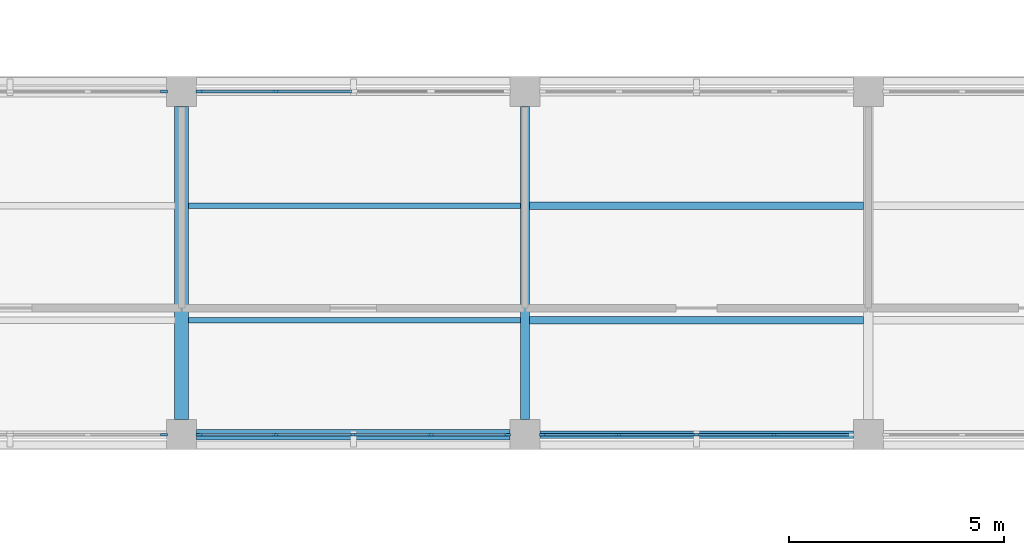
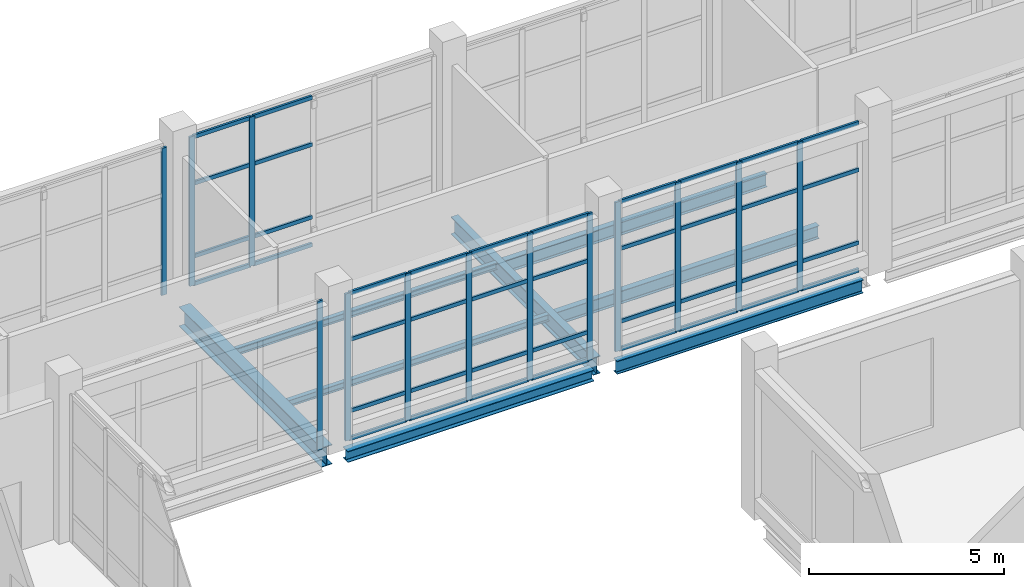
# One storey, part 37 of 105: 53 members, 8 beams, 5 elements without a shape of their own.
"""IFC4 building model written with IfcOpenShell, lengths in metres."""

from ifc_helpers import new_model, si_unit, derived_unit, direction, frame, origin, origin_2d, place, context, subcontext, project, spatial, rectangle, i_section, extrude, material, layer, layer_set, material_profile, profile_set, type_object, element, aggregate, save


model = new_model("IFC4")

# Units and contexts
model_context = context("Model", 3, precision=1e-05, world=origin(), true_north=direction((0.0, 1.0)))
body_context = subcontext(model_context, "Body", "Model", "MODEL_VIEW")
ifc_project = project(units=[si_unit("LENGTHUNIT", "METRE"), si_unit("AREAUNIT", "SQUARE_METRE"), si_unit("VOLUMEUNIT", "CUBIC_METRE"), si_unit("PLANEANGLEUNIT", "RADIAN"), si_unit("MASSUNIT", "GRAM", prefix="KILO"), derived_unit("THERMALTRANSMITTANCEUNIT", [(si_unit("MASSUNIT", "GRAM", prefix="KILO"), 1), (si_unit("TIMEUNIT", "SECOND"), -3), (si_unit("THERMODYNAMICTEMPERATUREUNIT", "KELVIN"), -1)])], contexts=[model_context])

# Site, building, storey
site_placement = place(None, origin())
site = spatial("IfcSite", under=ifc_project, at=site_placement, CompositionType="ELEMENT")
building_placement = place(site_placement, origin())
building = spatial("IfcBuilding", under=site, at=building_placement, Name="Veyamyaing Civic Hall", CompositionType="ELEMENT")
storey_placement = place(building_placement, origin())
storey = spatial("IfcBuildingStorey", under=building, at=storey_placement, Name="L00", CompositionType="ELEMENT", Elevation=0.0)

# Beams
ifc_material_1 = material(Name="Steel ASTM A992", Category="steel")
ifc_material_profile_1 = material_profile(ifc_material_1, i_section(OverallWidth=0.179931640625, OverallDepth=0.4130859375, WebThickness=0.009765625, FlangeThickness=0.01611328125, FilletRadius=0.010009765625, at=origin_2d()), Name="W410X74")
ifc_profile_set_1 = profile_set([ifc_material_profile_1], Name="Steel ASTM A992")
beam_type_1 = type_object("IfcBeamType", Name="B-10", PredefinedType="SPANDREL", material=ifc_profile_set_1)
beam_1_placement = place(storey_placement, frame((136.35009765625, 48.0, -0.471435546875), z_axis=(1.0, 0.0, 0.0), x_axis=(0.0, 1.0, 0.0)))
element("IfcBeam", 1, at=beam_1_placement, inside=storey, type_object=beam_type_1, Name="Girder B-10 L00 Grid G 18-19", PredefinedType="SPANDREL", context=body_context, shape_type="SweptSolid", body=[
    extrude(i_section(OverallWidth=0.179931640625, OverallDepth=0.4130859375, WebThickness=0.009765625, FlangeThickness=0.01611328125, FilletRadius=0.010009765625, at=origin_2d()), origin(), (0.0, 0.0, 1.0), 7.2998046875),
])
ifc_material_profile_2 = material_profile(ifc_material_1, i_section(OverallWidth=0.324951171875, OverallDepth=0.615966796875, WebThickness=0.013916015625, FlangeThickness=0.021484375, FilletRadius=0.013916015625, at=origin_2d()), Name="W610X174")
ifc_profile_set_2 = profile_set([ifc_material_profile_2], Name="Steel ASTM A992")
beam_type_2 = type_object("IfcBeamType", Name="B-15", PredefinedType="BEAM", material=ifc_profile_set_2)
beam_2_placement = place(storey_placement, frame((128.0, 48.35009765625, -0.572998046875), z_axis=(0.0, 1.0, 0.0), x_axis=(-1.0, 0.0, 0.0)))
element("IfcBeam", 2, at=beam_2_placement, inside=storey, type_object=beam_type_2, Name="Girder B-15 L00 Grid 17 G-H", PredefinedType="BEAM", context=body_context, shape_type="SweptSolid", body=[
    extrude(i_section(OverallWidth=0.324951171875, OverallDepth=0.615966796875, WebThickness=0.013916015625, FlangeThickness=0.021484375, FilletRadius=0.013916015625, at=origin_2d()), origin(), (0.0, 0.0, 1.0), 7.2998046875),
])
ifc_material_profile_3 = material_profile(ifc_material_1, i_section(OverallWidth=0.214111328125, OverallDepth=0.549072265625, WebThickness=0.0146484375, FlangeThickness=0.023681640625, FilletRadius=0.011962890625, at=origin_2d()), Name="W530X138")
ifc_profile_set_3 = profile_set([ifc_material_profile_3], Name="Steel ASTM A992")
beam_type_3 = type_object("IfcBeamType", Name="B-16", PredefinedType="BEAM", material=ifc_profile_set_3)
beam_3_placement = place(storey_placement, frame((136.0, 48.35009765625, -0.53955078125), z_axis=(0.0, 1.0, 0.0), x_axis=(-1.0, 0.0, 0.0)))
element("IfcBeam", 3, at=beam_3_placement, inside=storey, type_object=beam_type_3, Name="Girder B-16 L00 Grid 18 G-H", PredefinedType="BEAM", context=body_context, shape_type="SweptSolid", body=[
    extrude(i_section(OverallWidth=0.214111328125, OverallDepth=0.549072265625, WebThickness=0.0146484375, FlangeThickness=0.023681640625, FilletRadius=0.011962890625, at=origin_2d()), origin(), (0.0, 0.0, 1.0), 7.2998046875),
])
ifc_material_profile_4 = material_profile(ifc_material_1, i_section(OverallWidth=0.25390625, OverallDepth=0.35302734375, WebThickness=0.009521484375, FlangeThickness=0.016357421875, FilletRadius=0.011962890625, at=origin_2d()), Name="W360X91")
ifc_profile_set_4 = profile_set([ifc_material_profile_4], Name="Steel ASTM A992")
beam_type_4 = type_object("IfcBeamType", Name="B-20", PredefinedType="SPANDREL", material=ifc_profile_set_4)
beam_4_placement = place(storey_placement, frame((128.35009765625, 48.0, -0.44140625), z_axis=(1.0, 0.0, 0.0), x_axis=(0.0, 1.0, 0.0)))
element("IfcBeam", 4, at=beam_4_placement, inside=storey, type_object=beam_type_4, Name="Girder B-20 L00 Grid G 17-18", PredefinedType="SPANDREL", context=body_context, shape_type="SweptSolid", body=[
    extrude(i_section(OverallWidth=0.25390625, OverallDepth=0.35302734375, WebThickness=0.009521484375, FlangeThickness=0.016357421875, FilletRadius=0.011962890625, at=origin_2d()), origin(), (0.0, 0.0, 1.0), 7.2998046875),
])

# Curtain wall, member
ifc_material_2 = material(Name="Anodised aluminium 6063-T6", Category="aluminium")
ifc_layer = layer(ifc_material_2, 0.159912109375, Name="Anodised aluminium 6063-T6")
ifc_layer_set = layer_set([ifc_layer], Name="Anodised aluminium 6063-T6")
curtain_wall_type = type_object("IfcCurtainWallType", Name="CW-01", PredefinedType="NOTDEFINED", material=ifc_layer_set)
curtain_wall_1_placement = place(storey_placement, origin())
curtain_wall_1 = element("IfcCurtainWall", 5, at=curtain_wall_1_placement, inside=storey, type_object=curtain_wall_type, Name="Unitized curtain wall CW-01 L00 S 16.7", PredefinedType="NOTDEFINED")
ifc_material_profile_5 = material_profile(ifc_material_2, rectangle(XDim=0.06494140625, YDim=0.159912109375, at=origin_2d()), Name="ALU-MUL-65X160")
ifc_profile_set_5 = profile_set([ifc_material_profile_5], Name="Anodised aluminium 6063-T6")
member_type_1 = type_object("IfcMemberType", Name="CWM-01", PredefinedType="MULLION", material=ifc_profile_set_5)
member_1_placement = place(storey_placement, frame((127.58740234375, 48.0, 0.0), z_axis=(0.0, 0.0, 1.0), x_axis=(0.0, 1.0, 0.0)))
member_1 = element("IfcMember", 6, at=member_1_placement, type_object=member_type_1, Name="CW-01 mullion 5", PredefinedType="MULLION", context=body_context, shape_type="SweptSolid", body=[
    extrude(rectangle(XDim=0.06494140625, YDim=0.159912109375, at=origin_2d()), origin(), (0.0, 0.0, 1.0), 4.674072265625),
])
aggregate(curtain_wall_1, [member_1])

curtain_wall_2_placement = place(storey_placement, origin())
curtain_wall_2 = element("IfcCurtainWall", 7, at=curtain_wall_2_placement, inside=storey, type_object=curtain_wall_type, Name="Unitized curtain wall CW-01 L00 N 16.7", PredefinedType="NOTDEFINED")
member_2_placement = place(storey_placement, frame((127.58740234375, 56.0, 0.0), z_axis=(0.0, 0.0, 1.0), x_axis=(0.0, 1.0, 0.0)))
member_2 = element("IfcMember", 8, at=member_2_placement, type_object=member_type_1, Name="CW-01 mullion 5", PredefinedType="MULLION", context=body_context, shape_type="SweptSolid", body=[
    extrude(rectangle(XDim=0.06494140625, YDim=0.159912109375, at=origin_2d()), origin(), (0.0, 0.0, 1.0), 4.614013671875),
])
aggregate(curtain_wall_2, [member_2])

# Curtain wall, members
curtain_wall_3_placement = place(storey_placement, origin())
curtain_wall_3 = element("IfcCurtainWall", 9, at=curtain_wall_3_placement, inside=storey, type_object=curtain_wall_type, Name="Unitized curtain wall CW-01 L00 S 17.7", PredefinedType="NOTDEFINED")
member_3_placement = place(storey_placement, frame((128.41259765625, 48.0, 0.0), z_axis=(0.0, 0.0, 1.0), x_axis=(0.0, 1.0, 0.0)))
member_3 = element("IfcMember", 10, at=member_3_placement, type_object=member_type_1, Name="CW-01 mullion 1", PredefinedType="MULLION", context=body_context, shape_type="SweptSolid", body=[
    extrude(rectangle(XDim=0.06494140625, YDim=0.159912109375, at=origin_2d()), origin(), (0.0, 0.0, 1.0), 4.614013671875),
])
member_4_placement = place(storey_placement, frame((130.18994140625, 48.0, 0.0), z_axis=(0.0, 0.0, 1.0), x_axis=(0.0, 1.0, 0.0)))
member_4 = element("IfcMember", 11, at=member_4_placement, type_object=member_type_1, Name="CW-01 mullion 2", PredefinedType="MULLION", context=body_context, shape_type="SweptSolid", body=[
    extrude(rectangle(XDim=0.06494140625, YDim=0.159912109375, at=origin_2d()), origin(), (0.0, 0.0, 1.0), 4.614013671875),
])
member_5_placement = place(storey_placement, frame((132.0, 48.0, 0.0), z_axis=(0.0, 0.0, 1.0), x_axis=(0.0, 1.0, 0.0)))
member_5 = element("IfcMember", 12, at=member_5_placement, type_object=member_type_1, Name="CW-01 mullion 3", PredefinedType="MULLION", context=body_context, shape_type="SweptSolid", body=[
    extrude(rectangle(XDim=0.06494140625, YDim=0.159912109375, at=origin_2d()), origin(), (0.0, 0.0, 1.0), 4.614013671875),
])
member_6_placement = place(storey_placement, frame((133.81005859375, 48.0, 0.0), z_axis=(0.0, 0.0, 1.0), x_axis=(0.0, 1.0, 0.0)))
member_6 = element("IfcMember", 13, at=member_6_placement, type_object=member_type_1, Name="CW-01 mullion 4", PredefinedType="MULLION", context=body_context, shape_type="SweptSolid", body=[
    extrude(rectangle(XDim=0.06494140625, YDim=0.159912109375, at=origin_2d()), origin(), (0.0, 0.0, 1.0), 4.614013671875),
])
member_7_placement = place(storey_placement, frame((135.58740234375, 48.0, 0.0), z_axis=(0.0, 0.0, 1.0), x_axis=(0.0, 1.0, 0.0)))
member_7 = element("IfcMember", 14, at=member_7_placement, type_object=member_type_1, Name="CW-01 mullion 5", PredefinedType="MULLION", context=body_context, shape_type="SweptSolid", body=[
    extrude(rectangle(XDim=0.06494140625, YDim=0.159912109375, at=origin_2d()), origin(), (0.0, 0.0, 1.0), 4.614013671875),
])

curtain_wall_4_placement = place(storey_placement, origin())
curtain_wall_4 = element("IfcCurtainWall", 15, at=curtain_wall_4_placement, inside=storey, type_object=curtain_wall_type, Name="Unitized curtain wall CW-01 L00 N 17.7", PredefinedType="NOTDEFINED")
member_8_placement = place(storey_placement, frame((128.41259765625, 56.0, 0.0), z_axis=(0.0, 0.0, 1.0), x_axis=(0.0, 1.0, 0.0)))
member_8 = element("IfcMember", 16, at=member_8_placement, type_object=member_type_1, Name="CW-01 mullion 1", PredefinedType="MULLION", context=body_context, shape_type="SweptSolid", body=[
    extrude(rectangle(XDim=0.06494140625, YDim=0.159912109375, at=origin_2d()), origin(), (0.0, 0.0, 1.0), 4.677001953125),
])
member_9_placement = place(storey_placement, frame((130.18994140625, 56.0, 0.0), z_axis=(0.0, 0.0, 1.0), x_axis=(0.0, 1.0, 0.0)))
member_9 = element("IfcMember", 17, at=member_9_placement, type_object=member_type_1, Name="CW-01 mullion 2", PredefinedType="MULLION", context=body_context, shape_type="SweptSolid", body=[
    extrude(rectangle(XDim=0.06494140625, YDim=0.159912109375, at=origin_2d()), origin(), (0.0, 0.0, 1.0), 4.677001953125),
])

curtain_wall_5_placement = place(storey_placement, origin())
curtain_wall_5 = element("IfcCurtainWall", 18, at=curtain_wall_5_placement, inside=storey, type_object=curtain_wall_type, Name="Unitized curtain wall CW-01 L00 S 18.7", PredefinedType="NOTDEFINED")
member_10_placement = place(storey_placement, frame((136.41259765625, 48.0, 0.0), z_axis=(0.0, 0.0, 1.0), x_axis=(0.0, 1.0, 0.0)))
member_10 = element("IfcMember", 19, at=member_10_placement, type_object=member_type_1, Name="CW-01 mullion 1", PredefinedType="MULLION", context=body_context, shape_type="SweptSolid", body=[
    extrude(rectangle(XDim=0.06494140625, YDim=0.159912109375, at=origin_2d()), origin(), (0.0, 0.0, 1.0), 4.677001953125),
])
member_11_placement = place(storey_placement, frame((138.18994140625, 48.0, 0.0), z_axis=(0.0, 0.0, 1.0), x_axis=(0.0, 1.0, 0.0)))
member_11 = element("IfcMember", 20, at=member_11_placement, type_object=member_type_1, Name="CW-01 mullion 2", PredefinedType="MULLION", context=body_context, shape_type="SweptSolid", body=[
    extrude(rectangle(XDim=0.06494140625, YDim=0.159912109375, at=origin_2d()), origin(), (0.0, 0.0, 1.0), 4.677001953125),
])
member_12_placement = place(storey_placement, frame((140.0, 48.0, 0.0), z_axis=(0.0, 0.0, 1.0), x_axis=(0.0, 1.0, 0.0)))
member_12 = element("IfcMember", 21, at=member_12_placement, type_object=member_type_1, Name="CW-01 mullion 3", PredefinedType="MULLION", context=body_context, shape_type="SweptSolid", body=[
    extrude(rectangle(XDim=0.06494140625, YDim=0.159912109375, at=origin_2d()), origin(), (0.0, 0.0, 1.0), 4.677001953125),
])
member_13_placement = place(storey_placement, frame((141.81005859375, 48.0, 0.0), z_axis=(0.0, 0.0, 1.0), x_axis=(0.0, 1.0, 0.0)))
member_13 = element("IfcMember", 22, at=member_13_placement, type_object=member_type_1, Name="CW-01 mullion 4", PredefinedType="MULLION", context=body_context, shape_type="SweptSolid", body=[
    extrude(rectangle(XDim=0.06494140625, YDim=0.159912109375, at=origin_2d()), origin(), (0.0, 0.0, 1.0), 4.677001953125),
])

# Member
ifc_material_profile_6 = material_profile(ifc_material_2, rectangle(XDim=0.06494140625, YDim=0.1201171875, at=origin_2d()), Name="ALU-TRN-65X120")
ifc_profile_set_6 = profile_set([ifc_material_profile_6], Name="Anodised aluminium 6063-T6")
member_type_2 = type_object("IfcMemberType", Name="CWT-01", PredefinedType="USERDEFINED", material=ifc_profile_set_6)
member_14_placement = place(storey_placement, frame((128.445068359375, 48.0, 0.032470703125), z_axis=(1.0, 0.0, 0.0), x_axis=(0.0, 1.0, 0.0)))
member_14 = element("IfcMember", 23, at=member_14_placement, type_object=member_type_2, Name="CW-01 transom 1.1", ObjectType="TRANSOM", PredefinedType="USERDEFINED", context=body_context, shape_type="SweptSolid", body=[
    extrude(rectangle(XDim=0.06494140625, YDim=0.1201171875, at=origin_2d()), origin(), (0.0, 0.0, 1.0), 1.71240234375),
])

member_15_placement = place(storey_placement, frame((128.445068359375, 48.0, 0.89990234375), z_axis=(1.0, 0.0, 0.0), x_axis=(0.0, 1.0, 0.0)))
member_15 = element("IfcMember", 24, at=member_15_placement, type_object=member_type_2, Name="CW-01 transom 1.2", ObjectType="TRANSOM", PredefinedType="USERDEFINED", context=body_context, shape_type="SweptSolid", body=[
    extrude(rectangle(XDim=0.06494140625, YDim=0.1201171875, at=origin_2d()), origin(), (0.0, 0.0, 1.0), 1.71240234375),
])

member_16_placement = place(storey_placement, frame((128.445068359375, 48.0, 3.137451171875), z_axis=(1.0, 0.0, 0.0), x_axis=(0.0, 1.0, 0.0)))
member_16 = element("IfcMember", 25, at=member_16_placement, type_object=member_type_2, Name="CW-01 transom 1.3", ObjectType="TRANSOM", PredefinedType="USERDEFINED", context=body_context, shape_type="SweptSolid", body=[
    extrude(rectangle(XDim=0.06494140625, YDim=0.1201171875, at=origin_2d()), origin(), (0.0, 0.0, 1.0), 1.71240234375),
])

member_17_placement = place(storey_placement, frame((128.445068359375, 48.0, 4.58154296875), z_axis=(1.0, 0.0, 0.0), x_axis=(0.0, 1.0, 0.0)))
member_17 = element("IfcMember", 26, at=member_17_placement, type_object=member_type_2, Name="CW-01 transom 1.4", ObjectType="TRANSOM", PredefinedType="USERDEFINED", context=body_context, shape_type="SweptSolid", body=[
    extrude(rectangle(XDim=0.06494140625, YDim=0.1201171875, at=origin_2d()), origin(), (0.0, 0.0, 1.0), 1.71240234375),
])

member_18_placement = place(storey_placement, frame((130.222412109375, 48.0, 0.032470703125), z_axis=(1.0, 0.0, 0.0), x_axis=(0.0, 1.0, 0.0)))
member_18 = element("IfcMember", 27, at=member_18_placement, type_object=member_type_2, Name="CW-01 transom 2.1", ObjectType="TRANSOM", PredefinedType="USERDEFINED", context=body_context, shape_type="SweptSolid", body=[
    extrude(rectangle(XDim=0.06494140625, YDim=0.1201171875, at=origin_2d()), origin(), (0.0, 0.0, 1.0), 1.7451171875),
])

member_19_placement = place(storey_placement, frame((130.222412109375, 48.0, 0.89990234375), z_axis=(1.0, 0.0, 0.0), x_axis=(0.0, 1.0, 0.0)))
member_19 = element("IfcMember", 28, at=member_19_placement, type_object=member_type_2, Name="CW-01 transom 2.2", ObjectType="TRANSOM", PredefinedType="USERDEFINED", context=body_context, shape_type="SweptSolid", body=[
    extrude(rectangle(XDim=0.06494140625, YDim=0.1201171875, at=origin_2d()), origin(), (0.0, 0.0, 1.0), 1.7451171875),
])

member_20_placement = place(storey_placement, frame((130.222412109375, 48.0, 3.137451171875), z_axis=(1.0, 0.0, 0.0), x_axis=(0.0, 1.0, 0.0)))
member_20 = element("IfcMember", 29, at=member_20_placement, type_object=member_type_2, Name="CW-01 transom 2.3", ObjectType="TRANSOM", PredefinedType="USERDEFINED", context=body_context, shape_type="SweptSolid", body=[
    extrude(rectangle(XDim=0.06494140625, YDim=0.1201171875, at=origin_2d()), origin(), (0.0, 0.0, 1.0), 1.7451171875),
])

member_21_placement = place(storey_placement, frame((130.222412109375, 48.0, 4.58154296875), z_axis=(1.0, 0.0, 0.0), x_axis=(0.0, 1.0, 0.0)))
member_21 = element("IfcMember", 30, at=member_21_placement, type_object=member_type_2, Name="CW-01 transom 2.4", ObjectType="TRANSOM", PredefinedType="USERDEFINED", context=body_context, shape_type="SweptSolid", body=[
    extrude(rectangle(XDim=0.06494140625, YDim=0.1201171875, at=origin_2d()), origin(), (0.0, 0.0, 1.0), 1.7451171875),
])

member_22_placement = place(storey_placement, frame((132.032470703125, 48.0, 0.032470703125), z_axis=(1.0, 0.0, 0.0), x_axis=(0.0, 1.0, 0.0)))
member_22 = element("IfcMember", 31, at=member_22_placement, type_object=member_type_2, Name="CW-01 transom 3.1", ObjectType="TRANSOM", PredefinedType="USERDEFINED", context=body_context, shape_type="SweptSolid", body=[
    extrude(rectangle(XDim=0.06494140625, YDim=0.1201171875, at=origin_2d()), origin(), (0.0, 0.0, 1.0), 1.7451171875),
])

member_23_placement = place(storey_placement, frame((132.032470703125, 48.0, 0.89990234375), z_axis=(1.0, 0.0, 0.0), x_axis=(0.0, 1.0, 0.0)))
member_23 = element("IfcMember", 32, at=member_23_placement, type_object=member_type_2, Name="CW-01 transom 3.2", ObjectType="TRANSOM", PredefinedType="USERDEFINED", context=body_context, shape_type="SweptSolid", body=[
    extrude(rectangle(XDim=0.06494140625, YDim=0.1201171875, at=origin_2d()), origin(), (0.0, 0.0, 1.0), 1.7451171875),
])

member_24_placement = place(storey_placement, frame((132.032470703125, 48.0, 3.137451171875), z_axis=(1.0, 0.0, 0.0), x_axis=(0.0, 1.0, 0.0)))
member_24 = element("IfcMember", 33, at=member_24_placement, type_object=member_type_2, Name="CW-01 transom 3.3", ObjectType="TRANSOM", PredefinedType="USERDEFINED", context=body_context, shape_type="SweptSolid", body=[
    extrude(rectangle(XDim=0.06494140625, YDim=0.1201171875, at=origin_2d()), origin(), (0.0, 0.0, 1.0), 1.7451171875),
])

member_25_placement = place(storey_placement, frame((132.032470703125, 48.0, 4.58154296875), z_axis=(1.0, 0.0, 0.0), x_axis=(0.0, 1.0, 0.0)))
member_25 = element("IfcMember", 34, at=member_25_placement, type_object=member_type_2, Name="CW-01 transom 3.4", ObjectType="TRANSOM", PredefinedType="USERDEFINED", context=body_context, shape_type="SweptSolid", body=[
    extrude(rectangle(XDim=0.06494140625, YDim=0.1201171875, at=origin_2d()), origin(), (0.0, 0.0, 1.0), 1.7451171875),
])

member_26_placement = place(storey_placement, frame((133.842529296875, 48.0, 0.032470703125), z_axis=(1.0, 0.0, 0.0), x_axis=(0.0, 1.0, 0.0)))
member_26 = element("IfcMember", 35, at=member_26_placement, type_object=member_type_2, Name="CW-01 transom 4.1", ObjectType="TRANSOM", PredefinedType="USERDEFINED", context=body_context, shape_type="SweptSolid", body=[
    extrude(rectangle(XDim=0.06494140625, YDim=0.1201171875, at=origin_2d()), origin(), (0.0, 0.0, 1.0), 1.71240234375),
])

member_27_placement = place(storey_placement, frame((133.842529296875, 48.0, 0.89990234375), z_axis=(1.0, 0.0, 0.0), x_axis=(0.0, 1.0, 0.0)))
member_27 = element("IfcMember", 36, at=member_27_placement, type_object=member_type_2, Name="CW-01 transom 4.2", ObjectType="TRANSOM", PredefinedType="USERDEFINED", context=body_context, shape_type="SweptSolid", body=[
    extrude(rectangle(XDim=0.06494140625, YDim=0.1201171875, at=origin_2d()), origin(), (0.0, 0.0, 1.0), 1.71240234375),
])

member_28_placement = place(storey_placement, frame((133.842529296875, 48.0, 3.137451171875), z_axis=(1.0, 0.0, 0.0), x_axis=(0.0, 1.0, 0.0)))
member_28 = element("IfcMember", 37, at=member_28_placement, type_object=member_type_2, Name="CW-01 transom 4.3", ObjectType="TRANSOM", PredefinedType="USERDEFINED", context=body_context, shape_type="SweptSolid", body=[
    extrude(rectangle(XDim=0.06494140625, YDim=0.1201171875, at=origin_2d()), origin(), (0.0, 0.0, 1.0), 1.71240234375),
])

member_29_placement = place(storey_placement, frame((133.842529296875, 48.0, 4.58154296875), z_axis=(1.0, 0.0, 0.0), x_axis=(0.0, 1.0, 0.0)))
member_29 = element("IfcMember", 38, at=member_29_placement, type_object=member_type_2, Name="CW-01 transom 4.4", ObjectType="TRANSOM", PredefinedType="USERDEFINED", context=body_context, shape_type="SweptSolid", body=[
    extrude(rectangle(XDim=0.06494140625, YDim=0.1201171875, at=origin_2d()), origin(), (0.0, 0.0, 1.0), 1.71240234375),
])

aggregate(curtain_wall_3, [member_3, member_4, member_5, member_6, member_7, member_14, member_15, member_16, member_17, member_18, member_19, member_20, member_21, member_22, member_23, member_24, member_25, member_26, member_27, member_28, member_29])

member_30_placement = place(storey_placement, frame((128.445068359375, 56.0, 0.032470703125), z_axis=(1.0, 0.0, 0.0), x_axis=(0.0, 1.0, 0.0)))
member_30 = element("IfcMember", 39, at=member_30_placement, type_object=member_type_2, Name="CW-01 transom 1.1", ObjectType="TRANSOM", PredefinedType="USERDEFINED", context=body_context, shape_type="SweptSolid", body=[
    extrude(rectangle(XDim=0.06494140625, YDim=0.1201171875, at=origin_2d()), origin(), (0.0, 0.0, 1.0), 1.71240234375),
])

member_31_placement = place(storey_placement, frame((128.445068359375, 56.0, 0.89990234375), z_axis=(1.0, 0.0, 0.0), x_axis=(0.0, 1.0, 0.0)))
member_31 = element("IfcMember", 40, at=member_31_placement, type_object=member_type_2, Name="CW-01 transom 1.2", ObjectType="TRANSOM", PredefinedType="USERDEFINED", context=body_context, shape_type="SweptSolid", body=[
    extrude(rectangle(XDim=0.06494140625, YDim=0.1201171875, at=origin_2d()), origin(), (0.0, 0.0, 1.0), 1.71240234375),
])

member_32_placement = place(storey_placement, frame((128.445068359375, 56.0, 3.180419921875), z_axis=(1.0, 0.0, 0.0), x_axis=(0.0, 1.0, 0.0)))
member_32 = element("IfcMember", 41, at=member_32_placement, type_object=member_type_2, Name="CW-01 transom 1.3", ObjectType="TRANSOM", PredefinedType="USERDEFINED", context=body_context, shape_type="SweptSolid", body=[
    extrude(rectangle(XDim=0.06494140625, YDim=0.1201171875, at=origin_2d()), origin(), (0.0, 0.0, 1.0), 1.71240234375),
])

member_33_placement = place(storey_placement, frame((128.445068359375, 56.0, 4.64453125), z_axis=(1.0, 0.0, 0.0), x_axis=(0.0, 1.0, 0.0)))
member_33 = element("IfcMember", 42, at=member_33_placement, type_object=member_type_2, Name="CW-01 transom 1.4", ObjectType="TRANSOM", PredefinedType="USERDEFINED", context=body_context, shape_type="SweptSolid", body=[
    extrude(rectangle(XDim=0.06494140625, YDim=0.1201171875, at=origin_2d()), origin(), (0.0, 0.0, 1.0), 1.71240234375),
])

member_34_placement = place(storey_placement, frame((130.222412109375, 56.0, 0.032470703125), z_axis=(1.0, 0.0, 0.0), x_axis=(0.0, 1.0, 0.0)))
member_34 = element("IfcMember", 43, at=member_34_placement, type_object=member_type_2, Name="CW-01 transom 2.1", ObjectType="TRANSOM", PredefinedType="USERDEFINED", context=body_context, shape_type="SweptSolid", body=[
    extrude(rectangle(XDim=0.06494140625, YDim=0.1201171875, at=origin_2d()), origin(), (0.0, 0.0, 1.0), 1.7451171875),
])

member_35_placement = place(storey_placement, frame((130.222412109375, 56.0, 0.89990234375), z_axis=(1.0, 0.0, 0.0), x_axis=(0.0, 1.0, 0.0)))
member_35 = element("IfcMember", 44, at=member_35_placement, type_object=member_type_2, Name="CW-01 transom 2.2", ObjectType="TRANSOM", PredefinedType="USERDEFINED", context=body_context, shape_type="SweptSolid", body=[
    extrude(rectangle(XDim=0.06494140625, YDim=0.1201171875, at=origin_2d()), origin(), (0.0, 0.0, 1.0), 1.7451171875),
])

member_36_placement = place(storey_placement, frame((130.222412109375, 56.0, 3.180419921875), z_axis=(1.0, 0.0, 0.0), x_axis=(0.0, 1.0, 0.0)))
member_36 = element("IfcMember", 45, at=member_36_placement, type_object=member_type_2, Name="CW-01 transom 2.3", ObjectType="TRANSOM", PredefinedType="USERDEFINED", context=body_context, shape_type="SweptSolid", body=[
    extrude(rectangle(XDim=0.06494140625, YDim=0.1201171875, at=origin_2d()), origin(), (0.0, 0.0, 1.0), 1.7451171875),
])

member_37_placement = place(storey_placement, frame((130.222412109375, 56.0, 4.64453125), z_axis=(1.0, 0.0, 0.0), x_axis=(0.0, 1.0, 0.0)))
member_37 = element("IfcMember", 46, at=member_37_placement, type_object=member_type_2, Name="CW-01 transom 2.4", ObjectType="TRANSOM", PredefinedType="USERDEFINED", context=body_context, shape_type="SweptSolid", body=[
    extrude(rectangle(XDim=0.06494140625, YDim=0.1201171875, at=origin_2d()), origin(), (0.0, 0.0, 1.0), 1.7451171875),
])

aggregate(curtain_wall_4, [member_8, member_9, member_30, member_31, member_32, member_33, member_34, member_35, member_36, member_37])

member_38_placement = place(storey_placement, frame((136.445068359375, 48.0, 0.032470703125), z_axis=(1.0, 0.0, 0.0), x_axis=(0.0, 1.0, 0.0)))
member_38 = element("IfcMember", 47, at=member_38_placement, type_object=member_type_2, Name="CW-01 transom 1.1", ObjectType="TRANSOM", PredefinedType="USERDEFINED", context=body_context, shape_type="SweptSolid", body=[
    extrude(rectangle(XDim=0.06494140625, YDim=0.1201171875, at=origin_2d()), origin(), (0.0, 0.0, 1.0), 1.71240234375),
])

member_39_placement = place(storey_placement, frame((136.445068359375, 48.0, 0.89990234375), z_axis=(1.0, 0.0, 0.0), x_axis=(0.0, 1.0, 0.0)))
member_39 = element("IfcMember", 48, at=member_39_placement, type_object=member_type_2, Name="CW-01 transom 1.2", ObjectType="TRANSOM", PredefinedType="USERDEFINED", context=body_context, shape_type="SweptSolid", body=[
    extrude(rectangle(XDim=0.06494140625, YDim=0.1201171875, at=origin_2d()), origin(), (0.0, 0.0, 1.0), 1.71240234375),
])

member_40_placement = place(storey_placement, frame((136.445068359375, 48.0, 3.180419921875), z_axis=(1.0, 0.0, 0.0), x_axis=(0.0, 1.0, 0.0)))
member_40 = element("IfcMember", 49, at=member_40_placement, type_object=member_type_2, Name="CW-01 transom 1.3", ObjectType="TRANSOM", PredefinedType="USERDEFINED", context=body_context, shape_type="SweptSolid", body=[
    extrude(rectangle(XDim=0.06494140625, YDim=0.1201171875, at=origin_2d()), origin(), (0.0, 0.0, 1.0), 1.71240234375),
])

member_41_placement = place(storey_placement, frame((136.445068359375, 48.0, 4.64453125), z_axis=(1.0, 0.0, 0.0), x_axis=(0.0, 1.0, 0.0)))
member_41 = element("IfcMember", 50, at=member_41_placement, type_object=member_type_2, Name="CW-01 transom 1.4", ObjectType="TRANSOM", PredefinedType="USERDEFINED", context=body_context, shape_type="SweptSolid", body=[
    extrude(rectangle(XDim=0.06494140625, YDim=0.1201171875, at=origin_2d()), origin(), (0.0, 0.0, 1.0), 1.71240234375),
])

member_42_placement = place(storey_placement, frame((138.222412109375, 48.0, 0.032470703125), z_axis=(1.0, 0.0, 0.0), x_axis=(0.0, 1.0, 0.0)))
member_42 = element("IfcMember", 51, at=member_42_placement, type_object=member_type_2, Name="CW-01 transom 2.1", ObjectType="TRANSOM", PredefinedType="USERDEFINED", context=body_context, shape_type="SweptSolid", body=[
    extrude(rectangle(XDim=0.06494140625, YDim=0.1201171875, at=origin_2d()), origin(), (0.0, 0.0, 1.0), 1.7451171875),
])

member_43_placement = place(storey_placement, frame((138.222412109375, 48.0, 0.89990234375), z_axis=(1.0, 0.0, 0.0), x_axis=(0.0, 1.0, 0.0)))
member_43 = element("IfcMember", 52, at=member_43_placement, type_object=member_type_2, Name="CW-01 transom 2.2", ObjectType="TRANSOM", PredefinedType="USERDEFINED", context=body_context, shape_type="SweptSolid", body=[
    extrude(rectangle(XDim=0.06494140625, YDim=0.1201171875, at=origin_2d()), origin(), (0.0, 0.0, 1.0), 1.7451171875),
])

member_44_placement = place(storey_placement, frame((138.222412109375, 48.0, 3.180419921875), z_axis=(1.0, 0.0, 0.0), x_axis=(0.0, 1.0, 0.0)))
member_44 = element("IfcMember", 53, at=member_44_placement, type_object=member_type_2, Name="CW-01 transom 2.3", ObjectType="TRANSOM", PredefinedType="USERDEFINED", context=body_context, shape_type="SweptSolid", body=[
    extrude(rectangle(XDim=0.06494140625, YDim=0.1201171875, at=origin_2d()), origin(), (0.0, 0.0, 1.0), 1.7451171875),
])

member_45_placement = place(storey_placement, frame((138.222412109375, 48.0, 4.64453125), z_axis=(1.0, 0.0, 0.0), x_axis=(0.0, 1.0, 0.0)))
member_45 = element("IfcMember", 54, at=member_45_placement, type_object=member_type_2, Name="CW-01 transom 2.4", ObjectType="TRANSOM", PredefinedType="USERDEFINED", context=body_context, shape_type="SweptSolid", body=[
    extrude(rectangle(XDim=0.06494140625, YDim=0.1201171875, at=origin_2d()), origin(), (0.0, 0.0, 1.0), 1.7451171875),
])

member_46_placement = place(storey_placement, frame((140.032470703125, 48.0, 0.032470703125), z_axis=(1.0, 0.0, 0.0), x_axis=(0.0, 1.0, 0.0)))
member_46 = element("IfcMember", 55, at=member_46_placement, type_object=member_type_2, Name="CW-01 transom 3.1", ObjectType="TRANSOM", PredefinedType="USERDEFINED", context=body_context, shape_type="SweptSolid", body=[
    extrude(rectangle(XDim=0.06494140625, YDim=0.1201171875, at=origin_2d()), origin(), (0.0, 0.0, 1.0), 1.7451171875),
])

member_47_placement = place(storey_placement, frame((140.032470703125, 48.0, 0.89990234375), z_axis=(1.0, 0.0, 0.0), x_axis=(0.0, 1.0, 0.0)))
member_47 = element("IfcMember", 56, at=member_47_placement, type_object=member_type_2, Name="CW-01 transom 3.2", ObjectType="TRANSOM", PredefinedType="USERDEFINED", context=body_context, shape_type="SweptSolid", body=[
    extrude(rectangle(XDim=0.06494140625, YDim=0.1201171875, at=origin_2d()), origin(), (0.0, 0.0, 1.0), 1.7451171875),
])

member_48_placement = place(storey_placement, frame((140.032470703125, 48.0, 3.180419921875), z_axis=(1.0, 0.0, 0.0), x_axis=(0.0, 1.0, 0.0)))
member_48 = element("IfcMember", 57, at=member_48_placement, type_object=member_type_2, Name="CW-01 transom 3.3", ObjectType="TRANSOM", PredefinedType="USERDEFINED", context=body_context, shape_type="SweptSolid", body=[
    extrude(rectangle(XDim=0.06494140625, YDim=0.1201171875, at=origin_2d()), origin(), (0.0, 0.0, 1.0), 1.7451171875),
])

member_49_placement = place(storey_placement, frame((140.032470703125, 48.0, 4.64453125), z_axis=(1.0, 0.0, 0.0), x_axis=(0.0, 1.0, 0.0)))
member_49 = element("IfcMember", 58, at=member_49_placement, type_object=member_type_2, Name="CW-01 transom 3.4", ObjectType="TRANSOM", PredefinedType="USERDEFINED", context=body_context, shape_type="SweptSolid", body=[
    extrude(rectangle(XDim=0.06494140625, YDim=0.1201171875, at=origin_2d()), origin(), (0.0, 0.0, 1.0), 1.7451171875),
])

member_50_placement = place(storey_placement, frame((141.842529296875, 48.0, 0.032470703125), z_axis=(1.0, 0.0, 0.0), x_axis=(0.0, 1.0, 0.0)))
member_50 = element("IfcMember", 59, at=member_50_placement, type_object=member_type_2, Name="CW-01 transom 4.1", ObjectType="TRANSOM", PredefinedType="USERDEFINED", context=body_context, shape_type="SweptSolid", body=[
    extrude(rectangle(XDim=0.06494140625, YDim=0.1201171875, at=origin_2d()), origin(), (0.0, 0.0, 1.0), 1.71240234375),
])

member_51_placement = place(storey_placement, frame((141.842529296875, 48.0, 0.89990234375), z_axis=(1.0, 0.0, 0.0), x_axis=(0.0, 1.0, 0.0)))
member_51 = element("IfcMember", 60, at=member_51_placement, type_object=member_type_2, Name="CW-01 transom 4.2", ObjectType="TRANSOM", PredefinedType="USERDEFINED", context=body_context, shape_type="SweptSolid", body=[
    extrude(rectangle(XDim=0.06494140625, YDim=0.1201171875, at=origin_2d()), origin(), (0.0, 0.0, 1.0), 1.71240234375),
])

member_52_placement = place(storey_placement, frame((141.842529296875, 48.0, 3.180419921875), z_axis=(1.0, 0.0, 0.0), x_axis=(0.0, 1.0, 0.0)))
member_52 = element("IfcMember", 61, at=member_52_placement, type_object=member_type_2, Name="CW-01 transom 4.3", ObjectType="TRANSOM", PredefinedType="USERDEFINED", context=body_context, shape_type="SweptSolid", body=[
    extrude(rectangle(XDim=0.06494140625, YDim=0.1201171875, at=origin_2d()), origin(), (0.0, 0.0, 1.0), 1.71240234375),
])

member_53_placement = place(storey_placement, frame((141.842529296875, 48.0, 4.64453125), z_axis=(1.0, 0.0, 0.0), x_axis=(0.0, 1.0, 0.0)))
member_53 = element("IfcMember", 62, at=member_53_placement, type_object=member_type_2, Name="CW-01 transom 4.4", ObjectType="TRANSOM", PredefinedType="USERDEFINED", context=body_context, shape_type="SweptSolid", body=[
    extrude(rectangle(XDim=0.06494140625, YDim=0.1201171875, at=origin_2d()), origin(), (0.0, 0.0, 1.0), 1.71240234375),
])

aggregate(curtain_wall_5, [member_10, member_11, member_12, member_13, member_38, member_39, member_40, member_41, member_42, member_43, member_44, member_45, member_46, member_47, member_48, member_49, member_50, member_51, member_52, member_53])

# Beams
ifc_material_profile_7 = material_profile(ifc_material_1, i_section(OverallWidth=0.177978515625, OverallDepth=0.406982421875, WebThickness=0.0078125, FlangeThickness=0.0126953125, FilletRadius=0.010009765625, at=origin_2d()), Name="W410X60")
ifc_profile_set_7 = profile_set([ifc_material_profile_7], Name="Steel ASTM A992")
beam_type_5 = type_object("IfcBeamType", Name="J-01", PredefinedType="JOIST", material=ifc_profile_set_7)
for number, where, z_axis, x_axis, name in (
    (63, (136.10498046875, 50.666748046875, -0.468505859375), (1.0, 0.0, 0.0), (0.0, 1.0, 0.0), "Composite floor joist J-01 L00 18.7.1"),
    (64, (136.10498046875, 53.333251953125, -0.468505859375), (1.0, 0.0, 0.0), (0.0, 1.0, 0.0), "Composite floor joist J-01 L00 18.7.2"),
):
    element("IfcBeam", number, at=place(storey_placement, frame(where, z_axis=z_axis, x_axis=x_axis)), inside=storey, type_object=beam_type_5, Name=name, PredefinedType="JOIST", context=body_context, shape_type="SweptSolid", body=[
        extrude(i_section(OverallWidth=0.177978515625, OverallDepth=0.406982421875, WebThickness=0.0078125, FlangeThickness=0.0126953125, FilletRadius=0.010009765625, at=origin_2d()), origin(), (0.0, 0.0, 1.0), 7.781982421875),
    ])
ifc_material_profile_8 = material_profile(ifc_material_1, i_section(OverallWidth=0.133056640625, OverallDepth=0.20703125, WebThickness=0.005859375, FlangeThickness=0.00830078125, FilletRadius=0.010009765625, at=origin_2d()), Name="W200X27")
ifc_profile_set_8 = profile_set([ifc_material_profile_8], Name="Steel ASTM A992")
beam_type_6 = type_object("IfcBeamType", Name="J-08", PredefinedType="JOIST", material=ifc_profile_set_8)
for number, where, z_axis, x_axis, name in (
    (65, (128.160400390625, 50.666748046875, -0.368408203125), (1.0, 0.0, 0.0), (0.0, 1.0, 0.0), "Composite floor joist J-08 L00 17.7.1"),
    (66, (128.160400390625, 53.333251953125, -0.368408203125), (1.0, 0.0, 0.0), (0.0, 1.0, 0.0), "Composite floor joist J-08 L00 17.7.2"),
):
    element("IfcBeam", number, at=place(storey_placement, frame(where, z_axis=z_axis, x_axis=x_axis)), inside=storey, type_object=beam_type_6, Name=name, PredefinedType="JOIST", context=body_context, shape_type="SweptSolid", body=[
        extrude(i_section(OverallWidth=0.133056640625, OverallDepth=0.20703125, WebThickness=0.005859375, FlangeThickness=0.00830078125, FilletRadius=0.010009765625, at=origin_2d()), origin(), (0.0, 0.0, 1.0), 7.734619140625),
    ])

save(model, "model.ifc")
